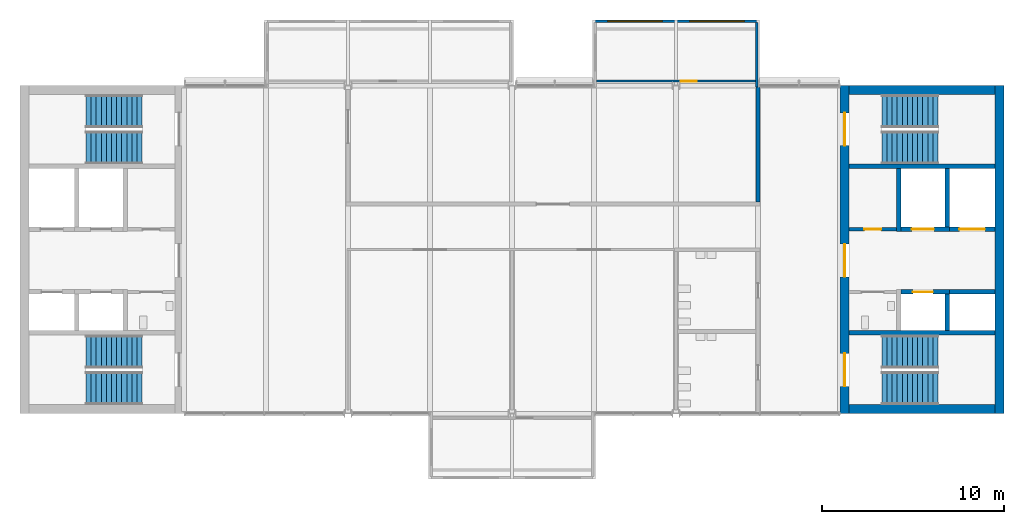
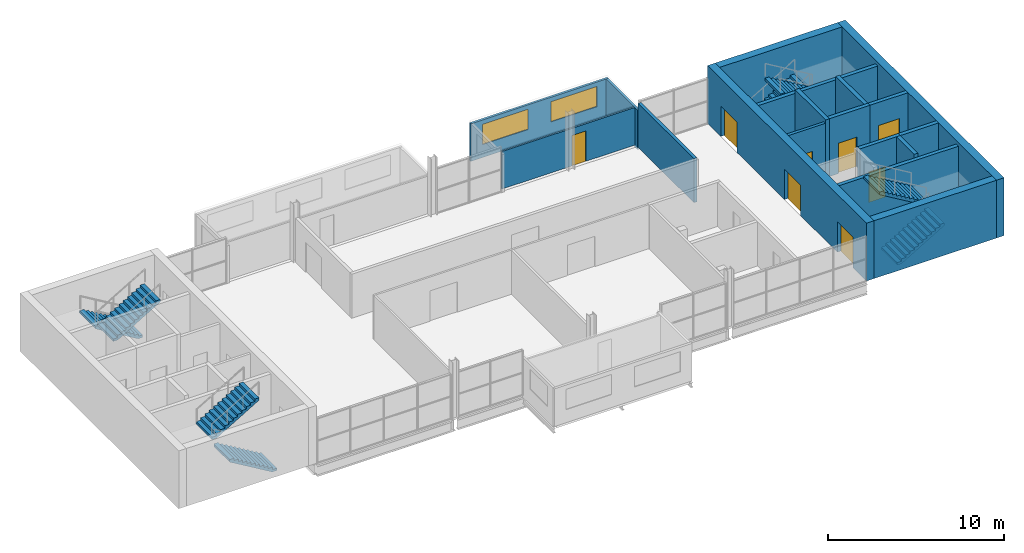
# One storey, part 7 of 10: 18 walls, 8 doors, 8 stair flights, 2 windows, 10 openings, 4 elements without a shape of their own.
"""IFC4 building model written with IfcOpenShell, lengths in metres."""

from ifc_helpers import new_model, si_unit, direction, frame, frame_2d, origin, place, context, subcontext, project, spatial, polyline, rectangle, outline, extrude, material, layer, layer_set, type_object, element, fill, aggregate, save


model = new_model("IFC4")

# Units and contexts
model_context = context("Model", 3, precision=1e-05, world=origin(), true_north=direction((0.0, 1.0)))
body_context = subcontext(model_context, "Body", "Model", "MODEL_VIEW")
ifc_project = project(units=[si_unit("LENGTHUNIT", "METRE"), si_unit("AREAUNIT", "SQUARE_METRE"), si_unit("VOLUMEUNIT", "CUBIC_METRE"), si_unit("PLANEANGLEUNIT", "RADIAN"), si_unit("MASSUNIT", "GRAM", prefix="KILO")], contexts=[model_context])

# Site, building, storey
site_placement = place(None, origin())
site = spatial("IfcSite", under=ifc_project, at=site_placement, CompositionType="ELEMENT")
building_placement = place(site_placement, origin())
building = spatial("IfcBuilding", under=site, at=building_placement, Name="Corbel Yard City Hall", CompositionType="ELEMENT")
storey_placement = place(building_placement, frame((0.0, 0.0, 43.199951171875)))
storey = spatial("IfcBuildingStorey", under=building, at=storey_placement, Name="L10", CompositionType="ELEMENT", Elevation=43.199951171875)

# Walls
ifc_material_1 = material(Name="Concrete N40 (40 MPa)", Category="concrete")
ifc_layer_1 = layer(ifc_material_1, 0.25)
ifc_layer_set_1 = layer_set([ifc_layer_1], Name="Concrete N40 (40 MPa)")
wall_type_1 = type_object("IfcWallType", Name="IW2", PredefinedType="SOLIDWALL", material=ifc_layer_set_1)
for number, where, z_axis, x_axis, name in (
    (1, (45.5, 103.425048828125, 0.0), (0.0, 0.0, 1.0), (1.0, 0.0, 0.0), "Stair enclosure wall"),
    (2, (45.5, 112.574951171875, 0.0), (0.0, 0.0, 1.0), (1.0, 0.0, 0.0), "Stair enclosure wall"),
):
    element("IfcWall", number, at=place(storey_placement, frame(where, z_axis=z_axis, x_axis=x_axis)), inside=storey, type_object=wall_type_1, Name=name, PredefinedType="SOLIDWALL", context=body_context, shape_type="SweptSolid", body=[
        extrude(rectangle(XDim=8.0, YDim=0.25, at=frame_2d((4.0, 0.0))), origin(), (0.0, 0.0, 1.0), 3.75),
    ])
wall_1_placement = place(storey_placement, frame((50.875, 103.550048828125, 0.0), z_axis=(0.0, 0.0, 1.0), x_axis=(0.0, 1.0, 0.0)))
element("IfcWall", 3, at=wall_1_placement, inside=storey, type_object=wall_type_1, Name="Lift LP25 shaft wall", PredefinedType="SOLIDWALL", context=body_context, shape_type="SweptSolid", body=[
    extrude(rectangle(XDim=2.0, YDim=0.25, at=frame_2d((1.0, 0.0))), origin(), (0.0, 0.0, 1.0), 4.0),
])

# Wall, opening, door
wall_2_placement = place(storey_placement, frame((48.35009765625, 105.675048828125, 0.0), z_axis=(0.0, 0.0, 1.0), x_axis=(1.0, 0.0, 0.0)))
wall_2 = element("IfcWall", 4, at=wall_2_placement, inside=storey, type_object=wall_type_1, Name="Lift LP25 shaft wall", PredefinedType="SOLIDWALL", context=body_context, shape_type="SweptSolid", body=[
    extrude(rectangle(XDim=2.64990234375, YDim=0.25, at=frame_2d((1.324951171875, 0.0))), origin(), (0.0, 0.0, 1.0), 4.0),
])
opening_1_placement = place(wall_2_placement, frame((0.64990234375, 0.0, 0.0)))
opening_1 = element("IfcOpeningElement", 5, at=opening_1_placement, cuts=wall_2, Name="Opening T3-008", PredefinedType="OPENING", context=body_context, shape_type="SweptSolid", body=[
    extrude(rectangle(XDim=1.10009765625, YDim=2.10009765625, at=frame_2d((0.550048828125, 1.050048828125))), frame((0.0, 0.135009765625, 0.0), z_axis=(0.0, -1.0, 0.0), x_axis=(1.0, 0.0, 0.0)), (0.0, 0.0, 1.0), 0.27001953125),
])
ifc_material_2 = material(Name="Stainless steel Grade 316", Category="steel")
door_type_1 = type_object("IfcDoorType", Name="LD1", OperationType="DOUBLE_DOOR_SLIDING", PredefinedType="DOOR", material=ifc_material_2)
door_1_placement = place(opening_1_placement, origin())
door_1 = element("IfcDoor", 6, at=door_1_placement, inside=storey, type_object=door_type_1, Name="Lift LP25 landing door", OperationType="DOUBLE_DOOR_SLIDING", OverallHeight=2.10009765625, OverallWidth=1.10009765625, PredefinedType="DOOR", context=body_context, shape_type="SweptSolid", body=[
    extrude(rectangle(XDim=1.10009765625, YDim=2.10009765625, at=frame_2d((0.550048828125, 1.050048828125))), frame((0.0, 0.02490234375, 0.0), z_axis=(0.0, -1.0, 0.0), x_axis=(1.0, 0.0, 0.0)), (0.0, 0.0, 1.0), 0.050048828125),
])
fill(opening_1, door_1)

# Walls
wall_3_placement = place(storey_placement, frame((51.0, 105.675048828125, 0.0), z_axis=(0.0, 0.0, 1.0), x_axis=(1.0, 0.0, 0.0)))
element("IfcWall", 7, at=wall_3_placement, inside=storey, type_object=wall_type_1, Name="Lift LP26 shaft wall", PredefinedType="SOLIDWALL", context=body_context, shape_type="SweptSolid", body=[
    extrude(rectangle(XDim=2.5, YDim=0.25, at=frame_2d((1.25, 0.0))), origin(), (0.0, 0.0, 1.0), 4.0),
])
wall_4_placement = place(storey_placement, frame((48.22509765625, 109.0, 0.0), z_axis=(0.0, 0.0, 1.0), x_axis=(0.0, 1.0, 0.0)))
element("IfcWall", 8, at=wall_4_placement, inside=storey, type_object=wall_type_1, Name="Lift LF2 shaft wall", PredefinedType="SOLIDWALL", context=body_context, shape_type="SweptSolid", body=[
    extrude(rectangle(XDim=3.449951171875, YDim=0.25, at=frame_2d((1.72509765625, 0.0))), origin(), (0.0, 0.0, 1.0), 4.0),
])
wall_5_placement = place(storey_placement, frame((50.875, 109.25, 0.0), z_axis=(0.0, 0.0, 1.0), x_axis=(0.0, 1.0, 0.0)))
element("IfcWall", 9, at=wall_5_placement, inside=storey, type_object=wall_type_1, Name="Lift LF2 shaft wall", PredefinedType="SOLIDWALL", context=body_context, shape_type="SweptSolid", body=[
    extrude(rectangle(XDim=3.199951171875, YDim=0.25, at=frame_2d((1.60009765625, 0.0))), origin(), (0.0, 0.0, 1.0), 4.0),
])

# Wall, opening, door
wall_6_placement = place(storey_placement, frame((48.35009765625, 109.125, 0.0), z_axis=(0.0, 0.0, 1.0), x_axis=(1.0, 0.0, 0.0)))
wall_6 = element("IfcWall", 10, at=wall_6_placement, inside=storey, type_object=wall_type_1, Name="Lift LF2 shaft wall", PredefinedType="SOLIDWALL", context=body_context, shape_type="SweptSolid", body=[
    extrude(rectangle(XDim=2.64990234375, YDim=0.25, at=frame_2d((1.324951171875, 0.0))), origin(), (0.0, 0.0, 1.0), 4.0),
])
opening_2_placement = place(wall_6_placement, frame((0.60009765625, 0.0, 0.0)))
opening_2 = element("IfcOpeningElement", 11, at=opening_2_placement, cuts=wall_6, Name="Opening T3-009", PredefinedType="OPENING", context=body_context, shape_type="SweptSolid", body=[
    extrude(rectangle(XDim=1.199951171875, YDim=2.10009765625, at=frame_2d((0.60009765625, 1.050048828125))), frame((0.0, 0.135009765625, 0.0), z_axis=(0.0, -1.0, 0.0), x_axis=(1.0, 0.0, 0.0)), (0.0, 0.0, 1.0), 0.27001953125),
])
door_type_2 = type_object("IfcDoorType", Name="LD2", OperationType="DOUBLE_DOOR_SLIDING", PredefinedType="DOOR", material=ifc_material_2)
door_2_placement = place(opening_2_placement, origin())
door_2 = element("IfcDoor", 12, at=door_2_placement, inside=storey, type_object=door_type_2, Name="Lift LF2 landing door", OperationType="DOUBLE_DOOR_SLIDING", OverallHeight=2.10009765625, OverallWidth=1.199951171875, PredefinedType="DOOR", context=body_context, shape_type="SweptSolid", body=[
    extrude(rectangle(XDim=1.199951171875, YDim=2.10009765625, at=frame_2d((0.60009765625, 1.050048828125))), frame((0.0, 0.02490234375, 0.0), z_axis=(0.0, -1.0, 0.0), x_axis=(1.0, 0.0, 0.0)), (0.0, 0.0, 1.0), 0.050048828125),
])
fill(opening_2, door_2)

wall_7_placement = place(storey_placement, frame((51.0, 109.125, 0.0), z_axis=(0.0, 0.0, 1.0), x_axis=(1.0, 0.0, 0.0)))
wall_7 = element("IfcWall", 13, at=wall_7_placement, inside=storey, type_object=wall_type_1, Name="Lift LG1 shaft wall", PredefinedType="SOLIDWALL", context=body_context, shape_type="SweptSolid", body=[
    extrude(rectangle(XDim=2.5, YDim=0.25, at=frame_2d((1.25, 0.0))), origin(), (0.0, 0.0, 1.0), 4.0),
])
opening_3_placement = place(wall_7_placement, frame((0.550048828125, 0.0, 0.0)))
opening_3 = element("IfcOpeningElement", 14, at=opening_3_placement, cuts=wall_7, Name="Opening T3-010", PredefinedType="OPENING", context=body_context, shape_type="SweptSolid", body=[
    extrude(rectangle(XDim=1.39990234375, YDim=2.39990234375, at=frame_2d((0.699951171875, 1.199951171875))), frame((0.0, 0.135009765625, 0.0), z_axis=(0.0, -1.0, 0.0), x_axis=(1.0, 0.0, 0.0)), (0.0, 0.0, 1.0), 0.27001953125),
])
door_type_3 = type_object("IfcDoorType", Name="LD3", OperationType="DOUBLE_DOOR_SLIDING", PredefinedType="DOOR", material=ifc_material_2)
door_3_placement = place(opening_3_placement, origin())
door_3 = element("IfcDoor", 15, at=door_3_placement, inside=storey, type_object=door_type_3, Name="Lift LG1 landing door", OperationType="DOUBLE_DOOR_SLIDING", OverallHeight=2.39990234375, OverallWidth=1.39990234375, PredefinedType="DOOR", context=body_context, shape_type="SweptSolid", body=[
    extrude(rectangle(XDim=1.39990234375, YDim=2.39990234375, at=frame_2d((0.699951171875, 1.199951171875))), frame((0.0, 0.02490234375, 0.0), z_axis=(0.0, -1.0, 0.0), x_axis=(1.0, 0.0, 0.0)), (0.0, 0.0, 1.0), 0.050048828125),
])
fill(opening_3, door_3)

# Wall, openings, windows
ifc_material_3 = material(Name="Anodised aluminium", Category="aluminium")
ifc_layer_2 = layer(ifc_material_3, 0.02392578125)
ifc_material_4 = material(Name="Steel Grade G550 (550 MPa yield)", Category="steel")
ifc_layer_3 = layer(ifc_material_4, 0.10009765625)
ifc_material_5 = material(Name="Gypsum plasterboard", Category="gypsum")
ifc_layer_4 = layer(ifc_material_5, 0.02587890625)
ifc_layer_set_2 = layer_set([ifc_layer_2, ifc_layer_3, ifc_layer_4], Name="Steel Grade G550 (550 MPa yield)")
wall_type_2 = type_object("IfcWallType", Name="PD1", PredefinedType="SOLIDWALL", material=ifc_layer_set_2)
wall_8_placement = place(storey_placement, frame((31.5, 120.52490234375, 0.0), z_axis=(0.0, 0.0, 1.0), x_axis=(1.0, 0.0, 0.0)))
wall_8 = element("IfcWall", 16, at=wall_8_placement, inside=storey, type_object=wall_type_2, Name="Pod outer wall L10", PredefinedType="SOLIDWALL", context=body_context, shape_type="SweptSolid", body=[
    extrude(rectangle(XDim=9.0, YDim=0.14990234375, at=frame_2d((4.5, 0.0))), origin(), (0.0, 0.0, 1.0), 2.60009765625),
])
opening_4_placement = place(wall_8_placement, frame((0.75, 0.0, 0.89990234375)))
opening_4 = element("IfcOpeningElement", 17, at=opening_4_placement, cuts=wall_8, Name="Opening WN5", PredefinedType="OPENING", context=body_context, shape_type="SweptSolid", body=[
    extrude(rectangle(XDim=3.0, YDim=1.39990234375, at=frame_2d((1.5, 0.699951171875))), frame((0.0, 0.0849609375, 0.0), z_axis=(0.0, -1.0, 0.0), x_axis=(1.0, 0.0, 0.0)), (0.0, 0.0, 1.0), 0.169921875),
])
opening_5_placement = place(wall_8_placement, frame((5.25, 0.0, 0.89990234375)))
opening_5 = element("IfcOpeningElement", 18, at=opening_5_placement, cuts=wall_8, Name="Opening WN5", PredefinedType="OPENING", context=body_context, shape_type="SweptSolid", body=[
    extrude(rectangle(XDim=3.0, YDim=1.39990234375, at=frame_2d((1.5, 0.699951171875))), frame((0.0, 0.0849609375, 0.0), z_axis=(0.0, -1.0, 0.0), x_axis=(1.0, 0.0, 0.0)), (0.0, 0.0, 1.0), 0.169921875),
])
ifc_material_6 = material(Name="Aluminium frame, double glazed low-e glass", Category="aluminium")
window_type = type_object("IfcWindowType", Name="WN5", PartitioningType="SINGLE_PANEL", PredefinedType="WINDOW", material=ifc_material_6)
window_1_placement = place(opening_4_placement, origin())
window_1 = element("IfcWindow", 19, at=window_1_placement, inside=storey, type_object=window_type, Name="Window WN5 L10", OverallHeight=1.39990234375, OverallWidth=3.0, PartitioningType="SINGLE_PANEL", PredefinedType="WINDOW", context=body_context, shape_type="SweptSolid", body=[
    extrude(rectangle(XDim=3.0, YDim=1.39990234375, at=frame_2d((1.5, 0.699951171875))), frame((0.0, 0.030029296875, 0.0), z_axis=(0.0, -1.0, 0.0), x_axis=(1.0, 0.0, 0.0)), (0.0, 0.0, 1.0), 0.06005859375),
])
fill(opening_4, window_1)
window_2_placement = place(opening_5_placement, origin())
window_2 = element("IfcWindow", 20, at=window_2_placement, inside=storey, type_object=window_type, Name="Window WN5 L10", OverallHeight=1.39990234375, OverallWidth=3.0, PartitioningType="SINGLE_PANEL", PredefinedType="WINDOW", context=body_context, shape_type="SweptSolid", body=[
    extrude(rectangle(XDim=3.0, YDim=1.39990234375, at=frame_2d((1.5, 0.699951171875))), frame((0.0, 0.030029296875, 0.0), z_axis=(0.0, -1.0, 0.0), x_axis=(1.0, 0.0, 0.0)), (0.0, 0.0, 1.0), 0.06005859375),
])
fill(opening_5, window_2)

# Wall, opening, door
ifc_layer_5 = layer(ifc_material_5, 0.01806640625)
ifc_layer_6 = layer(ifc_material_4, 0.06396484375)
ifc_layer_7 = layer(ifc_material_5, 0.01806640625)
ifc_layer_set_3 = layer_set([ifc_layer_5, ifc_layer_6, ifc_layer_7], Name="Steel Grade G550 (550 MPa yield)")
wall_type_3 = type_object("IfcWallType", Name="PD2", PredefinedType="PARTITIONING", material=ifc_layer_set_3)
wall_9_placement = place(storey_placement, frame((31.64990234375, 117.25, 0.0), z_axis=(0.0, 0.0, 1.0), x_axis=(1.0, 0.0, 0.0)))
wall_9 = element("IfcWall", 21, at=wall_9_placement, inside=storey, type_object=wall_type_3, Name="Pod inner wall L10", PredefinedType="PARTITIONING", context=body_context, shape_type="SweptSolid", body=[
    extrude(rectangle(XDim=8.7001953125, YDim=0.10009765625, at=frame_2d((4.35009765625, 0.0))), origin(), (0.0, 0.0, 1.0), 2.60009765625),
])
opening_6_placement = place(wall_9_placement, frame((4.60009765625, 0.0, 0.0)))
opening_6 = element("IfcOpeningElement", 22, at=opening_6_placement, cuts=wall_9, Name="Opening T3-003", PredefinedType="OPENING", context=body_context, shape_type="SweptSolid", body=[
    extrude(rectangle(XDim=0.89990234375, YDim=2.10009765625, at=frame_2d((0.449951171875, 1.050048828125))), frame((0.0, 0.06005859375, 0.0), z_axis=(0.0, -1.0, 0.0), x_axis=(1.0, 0.0, 0.0)), (0.0, 0.0, 1.0), 0.1201171875),
])
ifc_material_7 = material(Name="Timber, solid core", Category="wood")
door_type_4 = type_object("IfcDoorType", Name="XD6", OperationType="SINGLE_SWING_LEFT", PredefinedType="DOOR", material=ifc_material_7)
door_4_placement = place(opening_6_placement, origin())
door_4 = element("IfcDoor", 23, at=door_4_placement, inside=storey, type_object=door_type_4, Name="Pod door L10", OperationType="SINGLE_SWING_RIGHT", OverallHeight=2.10009765625, OverallWidth=0.89990234375, PredefinedType="DOOR", context=body_context, shape_type="SweptSolid", body=[
    extrude(rectangle(XDim=0.89990234375, YDim=2.10009765625, at=frame_2d((0.449951171875, 1.050048828125))), frame((0.0, 0.02490234375, 0.0), z_axis=(0.0, -1.0, 0.0), x_axis=(1.0, 0.0, 0.0)), (0.0, 0.0, 1.0), 0.050048828125),
])
fill(opening_6, door_4)

# Walls
ifc_layer_8 = layer(ifc_material_3, 0.02392578125)
ifc_layer_9 = layer(ifc_material_4, 0.10009765625)
ifc_layer_10 = layer(ifc_material_5, 0.02587890625)
ifc_layer_set_4 = layer_set([ifc_layer_8, ifc_layer_9, ifc_layer_10], Name="Steel Grade G550 (550 MPa yield)")
wall_type_4 = type_object("IfcWallType", Name="PD3", PredefinedType="SOLIDWALL", material=ifc_layer_set_4)
wall_10_placement = place(storey_placement, frame((40.425048828125, 120.449951171875, -0.14990234375), z_axis=(0.0, 0.0, 1.0), x_axis=(0.0, -1.0, 0.0)))
element("IfcWall", 24, at=wall_10_placement, inside=storey, type_object=wall_type_4, Name="Pod side wall L10", PredefinedType="SOLIDWALL", context=body_context, shape_type="SweptSolid", body=[
    extrude(rectangle(XDim=3.5400390625, YDim=0.14990234375, at=frame_2d((1.77001953125, 0.0))), origin(), (0.0, 0.0, 1.0), 2.75),
])
ifc_layer_11 = layer(ifc_material_5, 0.031982421875)
ifc_layer_12 = layer(ifc_material_4, 0.135986328125)
ifc_layer_13 = layer(ifc_material_5, 0.031982421875)
ifc_layer_set_5 = layer_set([ifc_layer_11, ifc_layer_12, ifc_layer_13], Name="Steel Grade G550 (550 MPa yield)")
wall_type_5 = type_object("IfcWallType", Name="PT2", PredefinedType="PARTITIONING", material=ifc_layer_set_5)
wall_11_placement = place(storey_placement, frame((40.5, 110.60009765625, 0.0), z_axis=(0.0, 0.0, 1.0), x_axis=(0.0, 1.0, 0.0)))
element("IfcWall", 25, at=wall_11_placement, inside=storey, type_object=wall_type_5, Name="Acoustic wall", PredefinedType="PARTITIONING", context=body_context, shape_type="SweptSolid", body=[
    extrude(rectangle(XDim=6.309814453125, YDim=0.199951171875, at=frame_2d((3.15478515625, 0.0))), origin(), (0.0, 0.0, 1.0), 3.050048828125),
])

# Wall, opening, door
ifc_material_8 = material(Name="Concrete block", Category="concrete")
ifc_layer_14 = layer(ifc_material_8, 0.18994140625)
ifc_layer_set_6 = layer_set([ifc_layer_14], Name="Concrete block")
wall_type_6 = type_object("IfcWallType", Name="PT4", PredefinedType="PARTITIONING", material=ifc_layer_set_6)
wall_12_placement = place(storey_placement, frame((45.5, 109.125, 0.0), z_axis=(0.0, 0.0, 1.0), x_axis=(1.0, 0.0, 0.0)))
wall_12 = element("IfcWall", 26, at=wall_12_placement, inside=storey, type_object=wall_type_6, Name="Riser wall", PredefinedType="PARTITIONING", context=body_context, shape_type="SweptSolid", body=[
    extrude(rectangle(XDim=2.60009765625, YDim=0.18994140625, at=frame_2d((1.300048828125, 0.0))), origin(), (0.0, 0.0, 1.0), 3.75),
])
opening_7_placement = place(wall_12_placement, frame((0.840087890625, 0.0, 0.0)))
opening_7 = element("IfcOpeningElement", 27, at=opening_7_placement, cuts=wall_12, Name="Opening T3-026", PredefinedType="OPENING", context=body_context, shape_type="SweptSolid", body=[
    extrude(rectangle(XDim=0.919921875, YDim=2.10009765625, at=frame_2d((0.4599609375, 1.050048828125))), frame((0.0, 0.10498046875, 0.0), z_axis=(0.0, -1.0, 0.0), x_axis=(1.0, 0.0, 0.0)), (0.0, 0.0, 1.0), 0.2099609375),
])
ifc_material_9 = material(Name="Steel Grade G250", Category="steel")
door_type_5 = type_object("IfcDoorType", Name="FS4", OperationType="SINGLE_SWING_LEFT", PredefinedType="DOOR", material=ifc_material_9)
door_5_placement = place(opening_7_placement, origin())
door_5 = element("IfcDoor", 28, at=door_5_placement, inside=storey, type_object=door_type_5, Name="Door riser East", OperationType="SINGLE_SWING_LEFT", OverallHeight=2.10009765625, OverallWidth=0.919921875, PredefinedType="DOOR", context=body_context, shape_type="SweptSolid", body=[
    extrude(rectangle(XDim=0.919921875, YDim=2.10009765625, at=frame_2d((0.4599609375, 1.050048828125))), frame((0.0, 0.02490234375, 0.0), z_axis=(0.0, -1.0, 0.0), x_axis=(1.0, 0.0, 0.0)), (0.0, 0.0, 1.0), 0.050048828125),
])
fill(opening_7, door_5)

# Wall, openings, doors
ifc_material_10 = material(Name="Concrete N50 (50 MPa)", Category="concrete")
ifc_layer_15 = layer(ifc_material_10, 0.5)
ifc_layer_set_7 = layer_set([ifc_layer_15], Name="Concrete N50 (50 MPa)")
wall_type_7 = type_object("IfcWallType", Name="Trunk wall 500", PredefinedType="SHEAR", material=ifc_layer_set_7)
wall_13_placement = place(storey_placement, frame((45.25, 99.0, 0.0), z_axis=(0.0, 0.0, 1.0), x_axis=(0.0, 1.0, 0.0)))
wall_13 = element("IfcWall", 29, at=wall_13_placement, inside=storey, type_object=wall_type_7, Name="Trunk E west wall", PredefinedType="SHEAR", context=body_context, shape_type="SweptSolid", body=[
    extrude(rectangle(XDim=18.0, YDim=0.5, at=frame_2d((9.0, 0.0))), origin(), (0.0, 0.0, 1.0), 4.0),
])
opening_8_placement = place(wall_13_placement, frame((1.5, 0.0, 0.0)))
opening_8 = element("IfcOpeningElement", 30, at=opening_8_placement, cuts=wall_13, Name="Opening T3-022", PredefinedType="OPENING", context=body_context, shape_type="SweptSolid", body=[
    extrude(rectangle(XDim=1.800048828125, YDim=2.10009765625, at=frame_2d((0.89990234375, 1.050048828125))), frame((0.0, 0.260009765625, 0.0), z_axis=(0.0, -1.0, 0.0), x_axis=(1.0, 0.0, 0.0)), (0.0, 0.0, 1.0), 0.52001953125),
])
opening_9_placement = place(wall_13_placement, frame((14.699951171875, 0.0, 0.0)))
opening_9 = element("IfcOpeningElement", 31, at=opening_9_placement, cuts=wall_13, Name="Opening T3-023", PredefinedType="OPENING", context=body_context, shape_type="SweptSolid", body=[
    extrude(rectangle(XDim=1.800048828125, YDim=2.10009765625, at=frame_2d((0.89990234375, 1.050048828125))), frame((0.0, 0.260009765625, 0.0), z_axis=(0.0, -1.0, 0.0), x_axis=(1.0, 0.0, 0.0)), (0.0, 0.0, 1.0), 0.52001953125),
])
opening_10_placement = place(wall_13_placement, frame((7.5, 0.0, 0.0)))
opening_10 = element("IfcOpeningElement", 32, at=opening_10_placement, cuts=wall_13, Name="Opening T3-024", PredefinedType="OPENING", context=body_context, shape_type="SweptSolid", body=[
    extrude(rectangle(XDim=1.800048828125, YDim=2.10009765625, at=frame_2d((0.89990234375, 1.050048828125))), frame((0.0, 0.260009765625, 0.0), z_axis=(0.0, -1.0, 0.0), x_axis=(1.0, 0.0, 0.0)), (0.0, 0.0, 1.0), 0.52001953125),
])
door_type_6 = type_object("IfcDoorType", Name="FS3", OperationType="DOUBLE_DOOR_SINGLE_SWING", PredefinedType="DOOR", material=ifc_material_9)
door_6_placement = place(opening_8_placement, origin())
door_6 = element("IfcDoor", 33, at=door_6_placement, inside=storey, type_object=door_type_6, Name="Door ST-E1", OperationType="DOUBLE_DOOR_SINGLE_SWING", OverallHeight=2.10009765625, OverallWidth=1.800048828125, PredefinedType="DOOR", context=body_context, shape_type="SweptSolid", body=[
    extrude(rectangle(XDim=1.800048828125, YDim=2.10009765625, at=frame_2d((0.89990234375, 1.050048828125))), frame((0.0, 0.02490234375, 0.0), z_axis=(0.0, -1.0, 0.0), x_axis=(1.0, 0.0, 0.0)), (0.0, 0.0, 1.0), 0.050048828125),
])
fill(opening_8, door_6)
door_7_placement = place(opening_9_placement, origin())
door_7 = element("IfcDoor", 34, at=door_7_placement, inside=storey, type_object=door_type_6, Name="Door ST-E2", OperationType="DOUBLE_DOOR_SINGLE_SWING", OverallHeight=2.10009765625, OverallWidth=1.800048828125, PredefinedType="DOOR", context=body_context, shape_type="SweptSolid", body=[
    extrude(rectangle(XDim=1.800048828125, YDim=2.10009765625, at=frame_2d((0.89990234375, 1.050048828125))), frame((0.0, 0.02490234375, 0.0), z_axis=(0.0, -1.0, 0.0), x_axis=(1.0, 0.0, 0.0)), (0.0, 0.0, 1.0), 0.050048828125),
])
fill(opening_9, door_7)
door_8_placement = place(opening_10_placement, origin())
door_8 = element("IfcDoor", 35, at=door_8_placement, inside=storey, type_object=door_type_6, Name="Door lift lobby East", OperationType="DOUBLE_DOOR_SINGLE_SWING", OverallHeight=2.10009765625, OverallWidth=1.800048828125, PredefinedType="DOOR", context=body_context, shape_type="SweptSolid", body=[
    extrude(rectangle(XDim=1.800048828125, YDim=2.10009765625, at=frame_2d((0.89990234375, 1.050048828125))), frame((0.0, 0.02490234375, 0.0), z_axis=(0.0, -1.0, 0.0), x_axis=(1.0, 0.0, 0.0)), (0.0, 0.0, 1.0), 0.050048828125),
])
fill(opening_10, door_8)

# Walls
wall_14_placement = place(storey_placement, frame((53.75, 99.0, 0.0), z_axis=(0.0, 0.0, 1.0), x_axis=(0.0, 1.0, 0.0)))
element("IfcWall", 36, at=wall_14_placement, inside=storey, type_object=wall_type_7, Name="Trunk E east wall", PredefinedType="SHEAR", context=body_context, shape_type="SweptSolid", body=[
    extrude(rectangle(XDim=18.0, YDim=0.5, at=frame_2d((9.0, 0.0))), origin(), (0.0, 0.0, 1.0), 4.0),
])
for number, where, z_axis, x_axis, name in (
    (37, (45.5, 99.25, 0.0), (0.0, 0.0, 1.0), (1.0, 0.0, 0.0), "Trunk E south wall"),
    (38, (45.5, 116.75, 0.0), (0.0, 0.0, 1.0), (1.0, 0.0, 0.0), "Trunk E north wall"),
):
    element("IfcWall", number, at=place(storey_placement, frame(where, z_axis=z_axis, x_axis=x_axis)), inside=storey, type_object=wall_type_7, Name=name, PredefinedType="SHEAR", context=body_context, shape_type="SweptSolid", body=[
        extrude(rectangle(XDim=8.0, YDim=0.5, at=frame_2d((4.0, 0.0))), origin(), (0.0, 0.0, 1.0), 4.0),
    ])

# Stair, stair flights
stair_type = type_object("IfcStairType", Name="ST4", PredefinedType="HALF_TURN_STAIR", material=ifc_material_1)
stair_1_placement = place(storey_placement, origin())
stair_1 = element("IfcStair", 39, at=stair_1_placement, inside=storey, type_object=stair_type, Name="Exit stair ST-W1 L10", PredefinedType="HALF_TURN_STAIR")
stair_flight_type = type_object("IfcStairFlightType", Name="FL4", PredefinedType="STRAIGHT", material=ifc_material_1)
stair_flight_1_placement = place(storey_placement, frame((6.699951171875, 100.39990234375, 0.0), z_axis=(0.0, 0.0, 1.0), x_axis=(-1.0, 0.0, 0.0)))
stair_flight_1 = element("IfcStairFlight", 40, at=stair_flight_1_placement, type_object=stair_flight_type, Name="ST-W1 flight 1", NumberOfRisers=12, NumberOfTreads=11, PredefinedType="STRAIGHT", RiserHeight=0.166667, TreadLength=0.28, context=body_context, shape_type="SweptSolid", body=[
    extrude(outline(polyline([(0.0, 0.0), (0.0, 0.166748046875), (0.280029296875, 0.166748046875), (0.280029296875, 0.333251953125), (0.56005859375, 0.333251953125), (0.56005859375, 0.5), (0.840087890625, 0.5), (0.840087890625, 0.666748046875), (1.1201171875, 0.666748046875), (1.1201171875, 0.833251953125), (1.39990234375, 0.833251953125), (1.39990234375, 1.0), (1.679931640625, 1.0), (1.679931640625, 1.166748046875), (1.9599609375, 1.166748046875), (1.9599609375, 1.333251953125), (2.239990234375, 1.333251953125), (2.239990234375, 1.5), (2.52001953125, 1.5), (2.52001953125, 1.666748046875), (2.800048828125, 1.666748046875), (2.800048828125, 1.833251953125), (3.080078125, 1.833251953125), (3.080078125, 2.0), (3.080078125, 1.658935546875), (0.29296875, 0.0), (0.0, 0.0)])), frame((0.0, 0.89990234375, 0.0), z_axis=(0.0, -1.0, 0.0), x_axis=(1.0, 0.0, 0.0)), (0.0, 0.0, 1.0), 1.800048828125),
])
stair_flight_2_placement = place(storey_placement, frame((3.6201171875, 102.39990234375, 2.0), z_axis=(0.0, 0.0, 1.0), x_axis=(1.0, 0.0, 0.0)))
stair_flight_2 = element("IfcStairFlight", 41, at=stair_flight_2_placement, type_object=stair_flight_type, Name="ST-W1 flight 2", NumberOfRisers=12, NumberOfTreads=11, PredefinedType="STRAIGHT", RiserHeight=0.166667, TreadLength=0.28, context=body_context, shape_type="SweptSolid", body=[
    extrude(outline(polyline([(0.0, 0.0), (0.0, 0.166748046875), (0.280029296875, 0.166748046875), (0.280029296875, 0.333251953125), (0.56005859375, 0.333251953125), (0.56005859375, 0.5), (0.840087890625, 0.5), (0.840087890625, 0.666748046875), (1.1201171875, 0.666748046875), (1.1201171875, 0.833251953125), (1.39990234375, 0.833251953125), (1.39990234375, 1.0), (1.679931640625, 1.0), (1.679931640625, 1.166748046875), (1.9599609375, 1.166748046875), (1.9599609375, 1.333251953125), (2.239990234375, 1.333251953125), (2.239990234375, 1.5), (2.52001953125, 1.5), (2.52001953125, 1.666748046875), (2.800048828125, 1.666748046875), (2.800048828125, 1.833251953125), (3.080078125, 1.833251953125), (3.080078125, 2.0), (3.080078125, 1.658935546875), (0.29296875, 0.0), (0.0, 0.0)])), frame((0.0, 0.89990234375, 0.0), z_axis=(0.0, -1.0, 0.0), x_axis=(1.0, 0.0, 0.0)), (0.0, 0.0, 1.0), 1.800048828125),
])
aggregate(stair_1, [stair_flight_1, stair_flight_2])

stair_2_placement = place(storey_placement, origin())
stair_2 = element("IfcStair", 42, at=stair_2_placement, inside=storey, type_object=stair_type, Name="Exit stair ST-W2 L10", PredefinedType="HALF_TURN_STAIR")
stair_flight_3_placement = place(storey_placement, frame((6.699951171875, 115.60009765625, 0.0), z_axis=(0.0, 0.0, 1.0), x_axis=(-1.0, 0.0, 0.0)))
stair_flight_3 = element("IfcStairFlight", 43, at=stair_flight_3_placement, type_object=stair_flight_type, Name="ST-W2 flight 1", NumberOfRisers=12, NumberOfTreads=11, PredefinedType="STRAIGHT", RiserHeight=0.166667, TreadLength=0.28, context=body_context, shape_type="SweptSolid", body=[
    extrude(outline(polyline([(0.0, 0.0), (0.0, 0.166748046875), (0.280029296875, 0.166748046875), (0.280029296875, 0.333251953125), (0.56005859375, 0.333251953125), (0.56005859375, 0.5), (0.840087890625, 0.5), (0.840087890625, 0.666748046875), (1.1201171875, 0.666748046875), (1.1201171875, 0.833251953125), (1.39990234375, 0.833251953125), (1.39990234375, 1.0), (1.679931640625, 1.0), (1.679931640625, 1.166748046875), (1.9599609375, 1.166748046875), (1.9599609375, 1.333251953125), (2.239990234375, 1.333251953125), (2.239990234375, 1.5), (2.52001953125, 1.5), (2.52001953125, 1.666748046875), (2.800048828125, 1.666748046875), (2.800048828125, 1.833251953125), (3.080078125, 1.833251953125), (3.080078125, 2.0), (3.080078125, 1.658935546875), (0.29296875, 0.0), (0.0, 0.0)])), frame((0.0, 0.89990234375, 0.0), z_axis=(0.0, -1.0, 0.0), x_axis=(1.0, 0.0, 0.0)), (0.0, 0.0, 1.0), 1.800048828125),
])
stair_flight_4_placement = place(storey_placement, frame((3.6201171875, 113.60009765625, 2.0), z_axis=(0.0, 0.0, 1.0), x_axis=(1.0, 0.0, 0.0)))
stair_flight_4 = element("IfcStairFlight", 44, at=stair_flight_4_placement, type_object=stair_flight_type, Name="ST-W2 flight 2", NumberOfRisers=12, NumberOfTreads=11, PredefinedType="STRAIGHT", RiserHeight=0.166667, TreadLength=0.28, context=body_context, shape_type="SweptSolid", body=[
    extrude(outline(polyline([(0.0, 0.0), (0.0, 0.166748046875), (0.280029296875, 0.166748046875), (0.280029296875, 0.333251953125), (0.56005859375, 0.333251953125), (0.56005859375, 0.5), (0.840087890625, 0.5), (0.840087890625, 0.666748046875), (1.1201171875, 0.666748046875), (1.1201171875, 0.833251953125), (1.39990234375, 0.833251953125), (1.39990234375, 1.0), (1.679931640625, 1.0), (1.679931640625, 1.166748046875), (1.9599609375, 1.166748046875), (1.9599609375, 1.333251953125), (2.239990234375, 1.333251953125), (2.239990234375, 1.5), (2.52001953125, 1.5), (2.52001953125, 1.666748046875), (2.800048828125, 1.666748046875), (2.800048828125, 1.833251953125), (3.080078125, 1.833251953125), (3.080078125, 2.0), (3.080078125, 1.658935546875), (0.29296875, 0.0), (0.0, 0.0)])), frame((0.0, 0.89990234375, 0.0), z_axis=(0.0, -1.0, 0.0), x_axis=(1.0, 0.0, 0.0)), (0.0, 0.0, 1.0), 1.800048828125),
])
aggregate(stair_2, [stair_flight_3, stair_flight_4])

stair_3_placement = place(storey_placement, origin())
stair_3 = element("IfcStair", 45, at=stair_3_placement, inside=storey, type_object=stair_type, Name="Exit stair ST-E1 L10", PredefinedType="HALF_TURN_STAIR")
stair_flight_5_placement = place(storey_placement, frame((47.300048828125, 100.39990234375, 0.0), z_axis=(0.0, 0.0, 1.0), x_axis=(1.0, 0.0, 0.0)))
stair_flight_5 = element("IfcStairFlight", 46, at=stair_flight_5_placement, type_object=stair_flight_type, Name="ST-E1 flight 1", NumberOfRisers=12, NumberOfTreads=11, PredefinedType="STRAIGHT", RiserHeight=0.166667, TreadLength=0.28, context=body_context, shape_type="SweptSolid", body=[
    extrude(outline(polyline([(0.0, 0.0), (0.0, 0.166748046875), (0.280029296875, 0.166748046875), (0.280029296875, 0.333251953125), (0.56005859375, 0.333251953125), (0.56005859375, 0.5), (0.840087890625, 0.5), (0.840087890625, 0.666748046875), (1.1201171875, 0.666748046875), (1.1201171875, 0.833251953125), (1.39990234375, 0.833251953125), (1.39990234375, 1.0), (1.679931640625, 1.0), (1.679931640625, 1.166748046875), (1.9599609375, 1.166748046875), (1.9599609375, 1.333251953125), (2.239990234375, 1.333251953125), (2.239990234375, 1.5), (2.52001953125, 1.5), (2.52001953125, 1.666748046875), (2.800048828125, 1.666748046875), (2.800048828125, 1.833251953125), (3.080078125, 1.833251953125), (3.080078125, 2.0), (3.080078125, 1.658935546875), (0.29296875, 0.0), (0.0, 0.0)])), frame((0.0, 0.89990234375, 0.0), z_axis=(0.0, -1.0, 0.0), x_axis=(1.0, 0.0, 0.0)), (0.0, 0.0, 1.0), 1.800048828125),
])
stair_flight_6_placement = place(storey_placement, frame((50.3798828125, 102.39990234375, 2.0), z_axis=(0.0, 0.0, 1.0), x_axis=(-1.0, 0.0, 0.0)))
stair_flight_6 = element("IfcStairFlight", 47, at=stair_flight_6_placement, type_object=stair_flight_type, Name="ST-E1 flight 2", NumberOfRisers=12, NumberOfTreads=11, PredefinedType="STRAIGHT", RiserHeight=0.166667, TreadLength=0.28, context=body_context, shape_type="SweptSolid", body=[
    extrude(outline(polyline([(0.0, 0.0), (0.0, 0.166748046875), (0.280029296875, 0.166748046875), (0.280029296875, 0.333251953125), (0.56005859375, 0.333251953125), (0.56005859375, 0.5), (0.840087890625, 0.5), (0.840087890625, 0.666748046875), (1.1201171875, 0.666748046875), (1.1201171875, 0.833251953125), (1.39990234375, 0.833251953125), (1.39990234375, 1.0), (1.679931640625, 1.0), (1.679931640625, 1.166748046875), (1.9599609375, 1.166748046875), (1.9599609375, 1.333251953125), (2.239990234375, 1.333251953125), (2.239990234375, 1.5), (2.52001953125, 1.5), (2.52001953125, 1.666748046875), (2.800048828125, 1.666748046875), (2.800048828125, 1.833251953125), (3.080078125, 1.833251953125), (3.080078125, 2.0), (3.080078125, 1.658935546875), (0.29296875, 0.0), (0.0, 0.0)])), frame((0.0, 0.89990234375, 0.0), z_axis=(0.0, -1.0, 0.0), x_axis=(1.0, 0.0, 0.0)), (0.0, 0.0, 1.0), 1.800048828125),
])
aggregate(stair_3, [stair_flight_5, stair_flight_6])

stair_4_placement = place(storey_placement, origin())
stair_4 = element("IfcStair", 48, at=stair_4_placement, inside=storey, type_object=stair_type, Name="Exit stair ST-E2 L10", PredefinedType="HALF_TURN_STAIR")
stair_flight_7_placement = place(storey_placement, frame((47.300048828125, 115.60009765625, 0.0), z_axis=(0.0, 0.0, 1.0), x_axis=(1.0, 0.0, 0.0)))
stair_flight_7 = element("IfcStairFlight", 49, at=stair_flight_7_placement, type_object=stair_flight_type, Name="ST-E2 flight 1", NumberOfRisers=12, NumberOfTreads=11, PredefinedType="STRAIGHT", RiserHeight=0.166667, TreadLength=0.28, context=body_context, shape_type="SweptSolid", body=[
    extrude(outline(polyline([(0.0, 0.0), (0.0, 0.166748046875), (0.280029296875, 0.166748046875), (0.280029296875, 0.333251953125), (0.56005859375, 0.333251953125), (0.56005859375, 0.5), (0.840087890625, 0.5), (0.840087890625, 0.666748046875), (1.1201171875, 0.666748046875), (1.1201171875, 0.833251953125), (1.39990234375, 0.833251953125), (1.39990234375, 1.0), (1.679931640625, 1.0), (1.679931640625, 1.166748046875), (1.9599609375, 1.166748046875), (1.9599609375, 1.333251953125), (2.239990234375, 1.333251953125), (2.239990234375, 1.5), (2.52001953125, 1.5), (2.52001953125, 1.666748046875), (2.800048828125, 1.666748046875), (2.800048828125, 1.833251953125), (3.080078125, 1.833251953125), (3.080078125, 2.0), (3.080078125, 1.658935546875), (0.29296875, 0.0), (0.0, 0.0)])), frame((0.0, 0.89990234375, 0.0), z_axis=(0.0, -1.0, 0.0), x_axis=(1.0, 0.0, 0.0)), (0.0, 0.0, 1.0), 1.800048828125),
])
stair_flight_8_placement = place(storey_placement, frame((50.3798828125, 113.60009765625, 2.0), z_axis=(0.0, 0.0, 1.0), x_axis=(-1.0, 0.0, 0.0)))
stair_flight_8 = element("IfcStairFlight", 50, at=stair_flight_8_placement, type_object=stair_flight_type, Name="ST-E2 flight 2", NumberOfRisers=12, NumberOfTreads=11, PredefinedType="STRAIGHT", RiserHeight=0.166667, TreadLength=0.28, context=body_context, shape_type="SweptSolid", body=[
    extrude(outline(polyline([(0.0, 0.0), (0.0, 0.166748046875), (0.280029296875, 0.166748046875), (0.280029296875, 0.333251953125), (0.56005859375, 0.333251953125), (0.56005859375, 0.5), (0.840087890625, 0.5), (0.840087890625, 0.666748046875), (1.1201171875, 0.666748046875), (1.1201171875, 0.833251953125), (1.39990234375, 0.833251953125), (1.39990234375, 1.0), (1.679931640625, 1.0), (1.679931640625, 1.166748046875), (1.9599609375, 1.166748046875), (1.9599609375, 1.333251953125), (2.239990234375, 1.333251953125), (2.239990234375, 1.5), (2.52001953125, 1.5), (2.52001953125, 1.666748046875), (2.800048828125, 1.666748046875), (2.800048828125, 1.833251953125), (3.080078125, 1.833251953125), (3.080078125, 2.0), (3.080078125, 1.658935546875), (0.29296875, 0.0), (0.0, 0.0)])), frame((0.0, 0.89990234375, 0.0), z_axis=(0.0, -1.0, 0.0), x_axis=(1.0, 0.0, 0.0)), (0.0, 0.0, 1.0), 1.800048828125),
])
aggregate(stair_4, [stair_flight_7, stair_flight_8])

save(model, "model.ifc")
